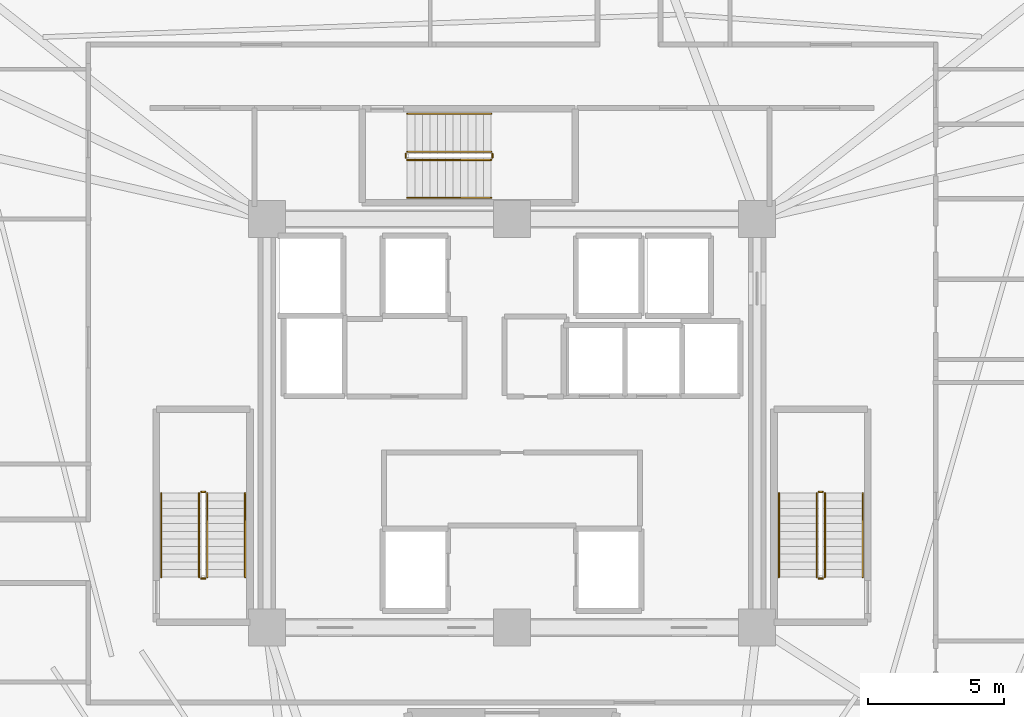
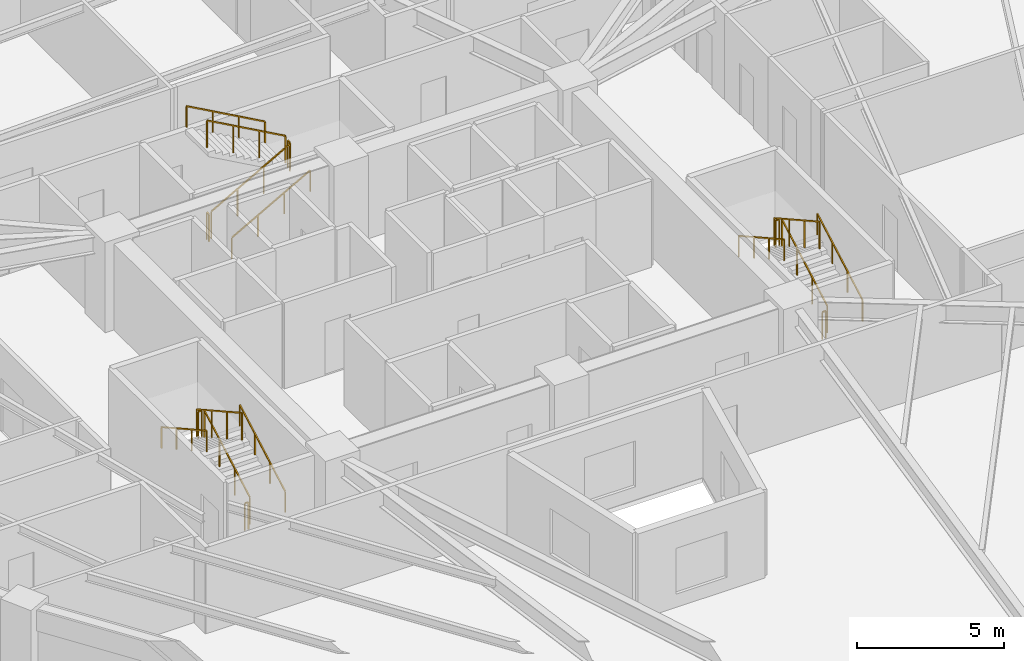
# One storey, part 8 of 8: 18 railings.
"""IFC4 building model written with IfcOpenShell, lengths in metres."""

from ifc_helpers import new_model, si_unit, direction, frame, origin, origin_2d, place, context, subcontext, project, spatial, rectangle, extrude, material, type_object, element, save


model = new_model("IFC4")

# Units and contexts
model_context = context("Model", 3, precision=1e-05, world=origin(), true_north=direction((0.0, 1.0)))
body_context = subcontext(model_context, "Body", "Model", "MODEL_VIEW")
ifc_project = project(units=[si_unit("LENGTHUNIT", "METRE"), si_unit("AREAUNIT", "SQUARE_METRE"), si_unit("VOLUMEUNIT", "CUBIC_METRE"), si_unit("PLANEANGLEUNIT", "RADIAN"), si_unit("MASSUNIT", "GRAM", prefix="KILO")], contexts=[model_context])

# Site, building, storey
site_placement = place(None, origin())
site = spatial("IfcSite", under=ifc_project, at=site_placement, CompositionType="ELEMENT")
building_placement = place(site_placement, origin())
building = spatial("IfcBuilding", under=site, at=building_placement, Name="Liaohun Quay Tower", CompositionType="ELEMENT")
storey_placement = place(building_placement, frame((0.0, 0.0, 205.5)))
storey = spatial("IfcBuildingStorey", under=building, at=storey_placement, Name="L53", CompositionType="ELEMENT", Elevation=205.5)

# Railings
ifc_material_1 = material(Name="Painted tubular steel", Category="steel")
railing_type_1 = type_object("IfcRailingType", Name="RLG-GUARD-STR", PredefinedType="GUARDRAIL", material=ifc_material_1)
railing_1_placement = place(storey_placement, frame((48.81005859375, 48.35009765625, 0.15625)))
element("IfcRailing", 1, at=railing_1_placement, inside=storey, type_object=railing_type_1, Name="L53 ST-1 stair guard 1", PredefinedType="GUARDRAIL", context=body_context, shape_type="SweptSolid", body=[
    extrude(rectangle(XDim=0.048095703125, YDim=0.048095703125, at=origin_2d()), frame((0.0, 0.0, 1.1259765625), z_axis=(0.0, 0.873225103656, 0.487317061414), x_axis=(-1.0, 0.0, 0.0)), (0.0, 0.0, 1.0), 3.52685546875),
    extrude(rectangle(XDim=0.0419921875, YDim=0.0419921875, at=origin_2d()), origin(), (0.0, 0.0, 1.0), 1.101806640625),
    extrude(rectangle(XDim=0.0419921875, YDim=0.0419921875, at=origin_2d()), frame((0.0, 1.026611328125, 0.572998046875)), (0.0, 0.0, 1.0), 1.101806640625),
    extrude(rectangle(XDim=0.0419921875, YDim=0.0419921875, at=origin_2d()), frame((0.0, 2.05322265625, 1.145751953125)), (0.0, 0.0, 1.0), 1.101806640625),
    extrude(rectangle(XDim=0.0419921875, YDim=0.0419921875, at=origin_2d()), frame((0.0, 3.079833984375, 1.71875)), (0.0, 0.0, 1.0), 1.101806640625),
])
railing_2_placement = place(storey_placement, frame((48.72998046875, 51.47998046875, 1.875)))
element("IfcRailing", 2, at=railing_2_placement, inside=storey, type_object=railing_type_1, Name="L53 ST-1 stair guard 2", PredefinedType="GUARDRAIL", context=body_context, shape_type="SweptSolid", body=[
    extrude(rectangle(XDim=0.048095703125, YDim=0.048095703125, at=origin_2d()), frame((0.0, 0.0, 1.1259765625), z_axis=(-1.0, 0.0, 0.0), x_axis=(0.0, -1.0, 0.0)), (0.0, 0.0, 1.0), 0.139892578125),
    extrude(rectangle(XDim=0.0419921875, YDim=0.0419921875, at=origin_2d()), origin(), (0.0, 0.0, 1.0), 1.101806640625),
    extrude(rectangle(XDim=0.0419921875, YDim=0.0419921875, at=origin_2d()), frame((-0.139892578125, 0.0, 0.0)), (0.0, 0.0, 1.0), 1.101806640625),
])
railing_3_placement = place(storey_placement, frame((48.510009765625, 51.429931640625, 2.03125)))
element("IfcRailing", 3, at=railing_3_placement, inside=storey, type_object=railing_type_1, Name="L53 ST-1 stair guard 3", PredefinedType="GUARDRAIL", context=body_context, shape_type="SweptSolid", body=[
    extrude(rectangle(XDim=0.048095703125, YDim=0.048095703125, at=origin_2d()), frame((0.0, 0.0, 1.1259765625), z_axis=(0.0, -0.873225103656, 0.487317061414), x_axis=(1.0, 0.0, 0.0)), (0.0, 0.0, 1.0), 3.52685546875),
    extrude(rectangle(XDim=0.0419921875, YDim=0.0419921875, at=origin_2d()), origin(), (0.0, 0.0, 1.0), 1.101806640625),
    extrude(rectangle(XDim=0.0419921875, YDim=0.0419921875, at=origin_2d()), frame((0.0, -1.026611328125, 0.572998046875)), (0.0, 0.0, 1.0), 1.101806640625),
    extrude(rectangle(XDim=0.0419921875, YDim=0.0419921875, at=origin_2d()), frame((0.0, -2.05322265625, 1.145751953125)), (0.0, 0.0, 1.0), 1.101806640625),
    extrude(rectangle(XDim=0.0419921875, YDim=0.0419921875, at=origin_2d()), frame((0.0, -3.079833984375, 1.71875)), (0.0, 0.0, 1.0), 1.101806640625),
])
railing_4_placement = place(storey_placement, frame((48.72998046875, 48.300048828125, 0.0)))
element("IfcRailing", 4, at=railing_4_placement, inside=storey, type_object=railing_type_1, Name="L53 ST-1 stair guard 4", PredefinedType="GUARDRAIL", context=body_context, shape_type="SweptSolid", body=[
    extrude(rectangle(XDim=0.048095703125, YDim=0.048095703125, at=origin_2d()), frame((0.0, 0.0, 1.1259765625), z_axis=(-1.0, 0.0, 0.0), x_axis=(0.0, -1.0, 0.0)), (0.0, 0.0, 1.0), 0.139892578125),
    extrude(rectangle(XDim=0.0419921875, YDim=0.0419921875, at=origin_2d()), origin(), (0.0, 0.0, 1.0), 1.101806640625),
    extrude(rectangle(XDim=0.0419921875, YDim=0.0419921875, at=origin_2d()), frame((-0.139892578125, 0.0, 0.0)), (0.0, 0.0, 1.0), 1.101806640625),
])
railing_5_placement = place(storey_placement, frame((71.489990234375, 48.35009765625, 0.15625)))
element("IfcRailing", 5, at=railing_5_placement, inside=storey, type_object=railing_type_1, Name="L53 ST-2 stair guard 1", PredefinedType="GUARDRAIL", context=body_context, shape_type="SweptSolid", body=[
    extrude(rectangle(XDim=0.048095703125, YDim=0.048095703125, at=origin_2d()), frame((0.0, 0.0, 1.1259765625), z_axis=(0.0, 0.873225103656, 0.487317061414), x_axis=(-1.0, 0.0, 0.0)), (0.0, 0.0, 1.0), 3.52685546875),
    extrude(rectangle(XDim=0.0419921875, YDim=0.0419921875, at=origin_2d()), origin(), (0.0, 0.0, 1.0), 1.101806640625),
    extrude(rectangle(XDim=0.0419921875, YDim=0.0419921875, at=origin_2d()), frame((0.0, 1.026611328125, 0.572998046875)), (0.0, 0.0, 1.0), 1.101806640625),
    extrude(rectangle(XDim=0.0419921875, YDim=0.0419921875, at=origin_2d()), frame((0.0, 2.05322265625, 1.145751953125)), (0.0, 0.0, 1.0), 1.101806640625),
    extrude(rectangle(XDim=0.0419921875, YDim=0.0419921875, at=origin_2d()), frame((0.0, 3.079833984375, 1.71875)), (0.0, 0.0, 1.0), 1.101806640625),
])
railing_6_placement = place(storey_placement, frame((71.409912109375, 51.47998046875, 1.875)))
element("IfcRailing", 6, at=railing_6_placement, inside=storey, type_object=railing_type_1, Name="L53 ST-2 stair guard 2", PredefinedType="GUARDRAIL", context=body_context, shape_type="SweptSolid", body=[
    extrude(rectangle(XDim=0.048095703125, YDim=0.048095703125, at=origin_2d()), frame((0.0, 0.0, 1.1259765625), z_axis=(-1.0, 0.0, 0.0), x_axis=(0.0, -1.0, 0.0)), (0.0, 0.0, 1.0), 0.139892578125),
    extrude(rectangle(XDim=0.0419921875, YDim=0.0419921875, at=origin_2d()), origin(), (0.0, 0.0, 1.0), 1.101806640625),
    extrude(rectangle(XDim=0.0419921875, YDim=0.0419921875, at=origin_2d()), frame((-0.139892578125, 0.0, 0.0)), (0.0, 0.0, 1.0), 1.101806640625),
])
railing_7_placement = place(storey_placement, frame((71.18994140625, 51.429931640625, 2.03125)))
element("IfcRailing", 7, at=railing_7_placement, inside=storey, type_object=railing_type_1, Name="L53 ST-2 stair guard 3", PredefinedType="GUARDRAIL", context=body_context, shape_type="SweptSolid", body=[
    extrude(rectangle(XDim=0.048095703125, YDim=0.048095703125, at=origin_2d()), frame((0.0, 0.0, 1.1259765625), z_axis=(0.0, -0.873225103656, 0.487317061414), x_axis=(1.0, 0.0, 0.0)), (0.0, 0.0, 1.0), 3.52685546875),
    extrude(rectangle(XDim=0.0419921875, YDim=0.0419921875, at=origin_2d()), origin(), (0.0, 0.0, 1.0), 1.101806640625),
    extrude(rectangle(XDim=0.0419921875, YDim=0.0419921875, at=origin_2d()), frame((0.0, -1.026611328125, 0.572998046875)), (0.0, 0.0, 1.0), 1.101806640625),
    extrude(rectangle(XDim=0.0419921875, YDim=0.0419921875, at=origin_2d()), frame((0.0, -2.05322265625, 1.145751953125)), (0.0, 0.0, 1.0), 1.101806640625),
    extrude(rectangle(XDim=0.0419921875, YDim=0.0419921875, at=origin_2d()), frame((0.0, -3.079833984375, 1.71875)), (0.0, 0.0, 1.0), 1.101806640625),
])
railing_8_placement = place(storey_placement, frame((71.409912109375, 48.300048828125, 0.0)))
element("IfcRailing", 8, at=railing_8_placement, inside=storey, type_object=railing_type_1, Name="L53 ST-2 stair guard 4", PredefinedType="GUARDRAIL", context=body_context, shape_type="SweptSolid", body=[
    extrude(rectangle(XDim=0.048095703125, YDim=0.048095703125, at=origin_2d()), frame((0.0, 0.0, 1.1259765625), z_axis=(-1.0, 0.0, 0.0), x_axis=(0.0, -1.0, 0.0)), (0.0, 0.0, 1.0), 0.139892578125),
    extrude(rectangle(XDim=0.0419921875, YDim=0.0419921875, at=origin_2d()), origin(), (0.0, 0.0, 1.0), 1.101806640625),
    extrude(rectangle(XDim=0.0419921875, YDim=0.0419921875, at=origin_2d()), frame((-0.139892578125, 0.0, 0.0)), (0.0, 0.0, 1.0), 1.101806640625),
])
railing_9_placement = place(storey_placement, frame((56.14990234375, 63.669921875, 0.15625)))
element("IfcRailing", 9, at=railing_9_placement, inside=storey, type_object=railing_type_1, Name="L53 ST-3 stair guard 1", PredefinedType="GUARDRAIL", context=body_context, shape_type="SweptSolid", body=[
    extrude(rectangle(XDim=0.048095703125, YDim=0.048095703125, at=origin_2d()), frame((0.0, 0.0, 1.1259765625), z_axis=(0.873241540666, 0.0, 0.487287606713), x_axis=(0.0, 1.0, 0.0)), (0.0, 0.0, 1.0), 3.527099609375),
    extrude(rectangle(XDim=0.0419921875, YDim=0.0419921875, at=origin_2d()), origin(), (0.0, 0.0, 1.0), 1.101806640625),
    extrude(rectangle(XDim=0.0419921875, YDim=0.0419921875, at=origin_2d()), frame((1.026611328125, 0.0, 0.572998046875)), (0.0, 0.0, 1.0), 1.101806640625),
    extrude(rectangle(XDim=0.0419921875, YDim=0.0419921875, at=origin_2d()), frame((2.053466796875, 0.0, 1.145751953125)), (0.0, 0.0, 1.0), 1.101806640625),
    extrude(rectangle(XDim=0.0419921875, YDim=0.0419921875, at=origin_2d()), frame((3.080078125, 0.0, 1.71875)), (0.0, 0.0, 1.0), 1.101806640625),
])
railing_10_placement = place(storey_placement, frame((59.280029296875, 63.75, 1.875)))
element("IfcRailing", 10, at=railing_10_placement, inside=storey, type_object=railing_type_1, Name="L53 ST-3 stair guard 2", PredefinedType="GUARDRAIL", context=body_context, shape_type="SweptSolid", body=[
    extrude(rectangle(XDim=0.048095703125, YDim=0.048095703125, at=origin_2d()), frame((0.0, 0.0, 1.1259765625), z_axis=(0.0, 1.0, 0.0), x_axis=(-1.0, 0.0, 0.0)), (0.0, 0.0, 1.0), 0.139892578125),
    extrude(rectangle(XDim=0.0419921875, YDim=0.0419921875, at=origin_2d()), origin(), (0.0, 0.0, 1.0), 1.101806640625),
    extrude(rectangle(XDim=0.0419921875, YDim=0.0419921875, at=origin_2d()), frame((0.0, 0.139892578125, 0.0)), (0.0, 0.0, 1.0), 1.101806640625),
])
railing_11_placement = place(storey_placement, frame((59.22998046875, 63.969970703125, 2.03125)))
element("IfcRailing", 11, at=railing_11_placement, inside=storey, type_object=railing_type_1, Name="L53 ST-3 stair guard 3", PredefinedType="GUARDRAIL", context=body_context, shape_type="SweptSolid", body=[
    extrude(rectangle(XDim=0.048095703125, YDim=0.048095703125, at=origin_2d()), frame((0.0, 0.0, 1.1259765625), z_axis=(-0.873241540666, 0.0, 0.487287606713), x_axis=(0.0, -1.0, 0.0)), (0.0, 0.0, 1.0), 3.527099609375),
    extrude(rectangle(XDim=0.0419921875, YDim=0.0419921875, at=origin_2d()), origin(), (0.0, 0.0, 1.0), 1.101806640625),
    extrude(rectangle(XDim=0.0419921875, YDim=0.0419921875, at=origin_2d()), frame((-1.026611328125, 0.0, 0.572998046875)), (0.0, 0.0, 1.0), 1.101806640625),
    extrude(rectangle(XDim=0.0419921875, YDim=0.0419921875, at=origin_2d()), frame((-2.053466796875, 0.0, 1.145751953125)), (0.0, 0.0, 1.0), 1.101806640625),
    extrude(rectangle(XDim=0.0419921875, YDim=0.0419921875, at=origin_2d()), frame((-3.080078125, 0.0, 1.71875)), (0.0, 0.0, 1.0), 1.101806640625),
])
railing_12_placement = place(storey_placement, frame((56.10009765625, 63.75, 0.0)))
element("IfcRailing", 12, at=railing_12_placement, inside=storey, type_object=railing_type_1, Name="L53 ST-3 stair guard 4", PredefinedType="GUARDRAIL", context=body_context, shape_type="SweptSolid", body=[
    extrude(rectangle(XDim=0.048095703125, YDim=0.048095703125, at=origin_2d()), frame((0.0, 0.0, 1.1259765625), z_axis=(0.0, 1.0, 0.0), x_axis=(-1.0, 0.0, 0.0)), (0.0, 0.0, 1.0), 0.139892578125),
    extrude(rectangle(XDim=0.0419921875, YDim=0.0419921875, at=origin_2d()), origin(), (0.0, 0.0, 1.0), 1.101806640625),
    extrude(rectangle(XDim=0.0419921875, YDim=0.0419921875, at=origin_2d()), frame((0.0, 0.139892578125, 0.0)), (0.0, 0.0, 1.0), 1.101806640625),
])
ifc_material_2 = material(Name="Brushed stainless steel", Category="steel")
railing_type_2 = type_object("IfcRailingType", Name="RLG-HND-STR", PredefinedType="HANDRAIL", material=ifc_material_2)
railing_13_placement = place(storey_placement, frame((50.199951171875, 48.35009765625, 0.15625)))
element("IfcRailing", 13, at=railing_13_placement, inside=storey, type_object=railing_type_2, Name="L53 ST-1 stair handrail 1", PredefinedType="HANDRAIL", context=body_context, shape_type="SweptSolid", body=[
    extrude(rectangle(XDim=0.048095703125, YDim=0.048095703125, at=origin_2d()), frame((0.0, 0.0, 0.8759765625), z_axis=(0.0, 0.873225103656, 0.487317061414), x_axis=(-1.0, 0.0, 0.0)), (0.0, 0.0, 1.0), 3.52685546875),
    extrude(rectangle(XDim=0.0419921875, YDim=0.0419921875, at=origin_2d()), origin(), (0.0, 0.0, 1.0), 0.851806640625),
    extrude(rectangle(XDim=0.0419921875, YDim=0.0419921875, at=origin_2d()), frame((0.0, 1.026611328125, 0.572998046875)), (0.0, 0.0, 1.0), 0.851806640625),
    extrude(rectangle(XDim=0.0419921875, YDim=0.0419921875, at=origin_2d()), frame((0.0, 2.05322265625, 1.145751953125)), (0.0, 0.0, 1.0), 0.851806640625),
    extrude(rectangle(XDim=0.0419921875, YDim=0.0419921875, at=origin_2d()), frame((0.0, 3.079833984375, 1.71875)), (0.0, 0.0, 1.0), 0.851806640625),
])
railing_14_placement = place(storey_placement, frame((47.1201171875, 51.429931640625, 2.03125)))
element("IfcRailing", 14, at=railing_14_placement, inside=storey, type_object=railing_type_2, Name="L53 ST-1 stair handrail 2", PredefinedType="HANDRAIL", context=body_context, shape_type="SweptSolid", body=[
    extrude(rectangle(XDim=0.048095703125, YDim=0.048095703125, at=origin_2d()), frame((0.0, 0.0, 0.8759765625), z_axis=(0.0, -0.873225103656, 0.487317061414), x_axis=(1.0, 0.0, 0.0)), (0.0, 0.0, 1.0), 3.52685546875),
    extrude(rectangle(XDim=0.0419921875, YDim=0.0419921875, at=origin_2d()), origin(), (0.0, 0.0, 1.0), 0.851806640625),
    extrude(rectangle(XDim=0.0419921875, YDim=0.0419921875, at=origin_2d()), frame((0.0, -1.026611328125, 0.572998046875)), (0.0, 0.0, 1.0), 0.851806640625),
    extrude(rectangle(XDim=0.0419921875, YDim=0.0419921875, at=origin_2d()), frame((0.0, -2.05322265625, 1.145751953125)), (0.0, 0.0, 1.0), 0.851806640625),
    extrude(rectangle(XDim=0.0419921875, YDim=0.0419921875, at=origin_2d()), frame((0.0, -3.079833984375, 1.71875)), (0.0, 0.0, 1.0), 0.851806640625),
])
railing_15_placement = place(storey_placement, frame((72.8798828125, 48.35009765625, 0.15625)))
element("IfcRailing", 15, at=railing_15_placement, inside=storey, type_object=railing_type_2, Name="L53 ST-2 stair handrail 1", PredefinedType="HANDRAIL", context=body_context, shape_type="SweptSolid", body=[
    extrude(rectangle(XDim=0.048095703125, YDim=0.048095703125, at=origin_2d()), frame((0.0, 0.0, 0.8759765625), z_axis=(0.0, 0.873225103656, 0.487317061414), x_axis=(-1.0, 0.0, 0.0)), (0.0, 0.0, 1.0), 3.52685546875),
    extrude(rectangle(XDim=0.0419921875, YDim=0.0419921875, at=origin_2d()), origin(), (0.0, 0.0, 1.0), 0.851806640625),
    extrude(rectangle(XDim=0.0419921875, YDim=0.0419921875, at=origin_2d()), frame((0.0, 1.026611328125, 0.572998046875)), (0.0, 0.0, 1.0), 0.851806640625),
    extrude(rectangle(XDim=0.0419921875, YDim=0.0419921875, at=origin_2d()), frame((0.0, 2.05322265625, 1.145751953125)), (0.0, 0.0, 1.0), 0.851806640625),
    extrude(rectangle(XDim=0.0419921875, YDim=0.0419921875, at=origin_2d()), frame((0.0, 3.079833984375, 1.71875)), (0.0, 0.0, 1.0), 0.851806640625),
])
railing_16_placement = place(storey_placement, frame((69.800048828125, 51.429931640625, 2.03125)))
element("IfcRailing", 16, at=railing_16_placement, inside=storey, type_object=railing_type_2, Name="L53 ST-2 stair handrail 2", PredefinedType="HANDRAIL", context=body_context, shape_type="SweptSolid", body=[
    extrude(rectangle(XDim=0.048095703125, YDim=0.048095703125, at=origin_2d()), frame((0.0, 0.0, 0.8759765625), z_axis=(0.0, -0.873225103656, 0.487317061414), x_axis=(1.0, 0.0, 0.0)), (0.0, 0.0, 1.0), 3.52685546875),
    extrude(rectangle(XDim=0.0419921875, YDim=0.0419921875, at=origin_2d()), origin(), (0.0, 0.0, 1.0), 0.851806640625),
    extrude(rectangle(XDim=0.0419921875, YDim=0.0419921875, at=origin_2d()), frame((0.0, -1.026611328125, 0.572998046875)), (0.0, 0.0, 1.0), 0.851806640625),
    extrude(rectangle(XDim=0.0419921875, YDim=0.0419921875, at=origin_2d()), frame((0.0, -2.05322265625, 1.145751953125)), (0.0, 0.0, 1.0), 0.851806640625),
    extrude(rectangle(XDim=0.0419921875, YDim=0.0419921875, at=origin_2d()), frame((0.0, -3.079833984375, 1.71875)), (0.0, 0.0, 1.0), 0.851806640625),
])
railing_17_placement = place(storey_placement, frame((56.14990234375, 62.280029296875, 0.15625)))
element("IfcRailing", 17, at=railing_17_placement, inside=storey, type_object=railing_type_2, Name="L53 ST-3 stair handrail 1", PredefinedType="HANDRAIL", context=body_context, shape_type="SweptSolid", body=[
    extrude(rectangle(XDim=0.048095703125, YDim=0.048095703125, at=origin_2d()), frame((0.0, 0.0, 0.8759765625), z_axis=(0.873241540666, 0.0, 0.487287606713), x_axis=(0.0, 1.0, 0.0)), (0.0, 0.0, 1.0), 3.527099609375),
    extrude(rectangle(XDim=0.0419921875, YDim=0.0419921875, at=origin_2d()), origin(), (0.0, 0.0, 1.0), 0.851806640625),
    extrude(rectangle(XDim=0.0419921875, YDim=0.0419921875, at=origin_2d()), frame((1.026611328125, 0.0, 0.572998046875)), (0.0, 0.0, 1.0), 0.851806640625),
    extrude(rectangle(XDim=0.0419921875, YDim=0.0419921875, at=origin_2d()), frame((2.053466796875, 0.0, 1.145751953125)), (0.0, 0.0, 1.0), 0.851806640625),
    extrude(rectangle(XDim=0.0419921875, YDim=0.0419921875, at=origin_2d()), frame((3.080078125, 0.0, 1.71875)), (0.0, 0.0, 1.0), 0.851806640625),
])
railing_18_placement = place(storey_placement, frame((59.22998046875, 65.360107421875, 2.03125)))
element("IfcRailing", 18, at=railing_18_placement, inside=storey, type_object=railing_type_2, Name="L53 ST-3 stair handrail 2", PredefinedType="HANDRAIL", context=body_context, shape_type="SweptSolid", body=[
    extrude(rectangle(XDim=0.048095703125, YDim=0.048095703125, at=origin_2d()), frame((0.0, 0.0, 0.8759765625), z_axis=(-0.873241540666, 0.0, 0.487287606713), x_axis=(0.0, -1.0, 0.0)), (0.0, 0.0, 1.0), 3.527099609375),
    extrude(rectangle(XDim=0.0419921875, YDim=0.0419921875, at=origin_2d()), origin(), (0.0, 0.0, 1.0), 0.851806640625),
    extrude(rectangle(XDim=0.0419921875, YDim=0.0419921875, at=origin_2d()), frame((-1.026611328125, 0.0, 0.572998046875)), (0.0, 0.0, 1.0), 0.851806640625),
    extrude(rectangle(XDim=0.0419921875, YDim=0.0419921875, at=origin_2d()), frame((-2.053466796875, 0.0, 1.145751953125)), (0.0, 0.0, 1.0), 0.851806640625),
    extrude(rectangle(XDim=0.0419921875, YDim=0.0419921875, at=origin_2d()), frame((-3.080078125, 0.0, 1.71875)), (0.0, 0.0, 1.0), 0.851806640625),
])

save(model, "model.ifc")
